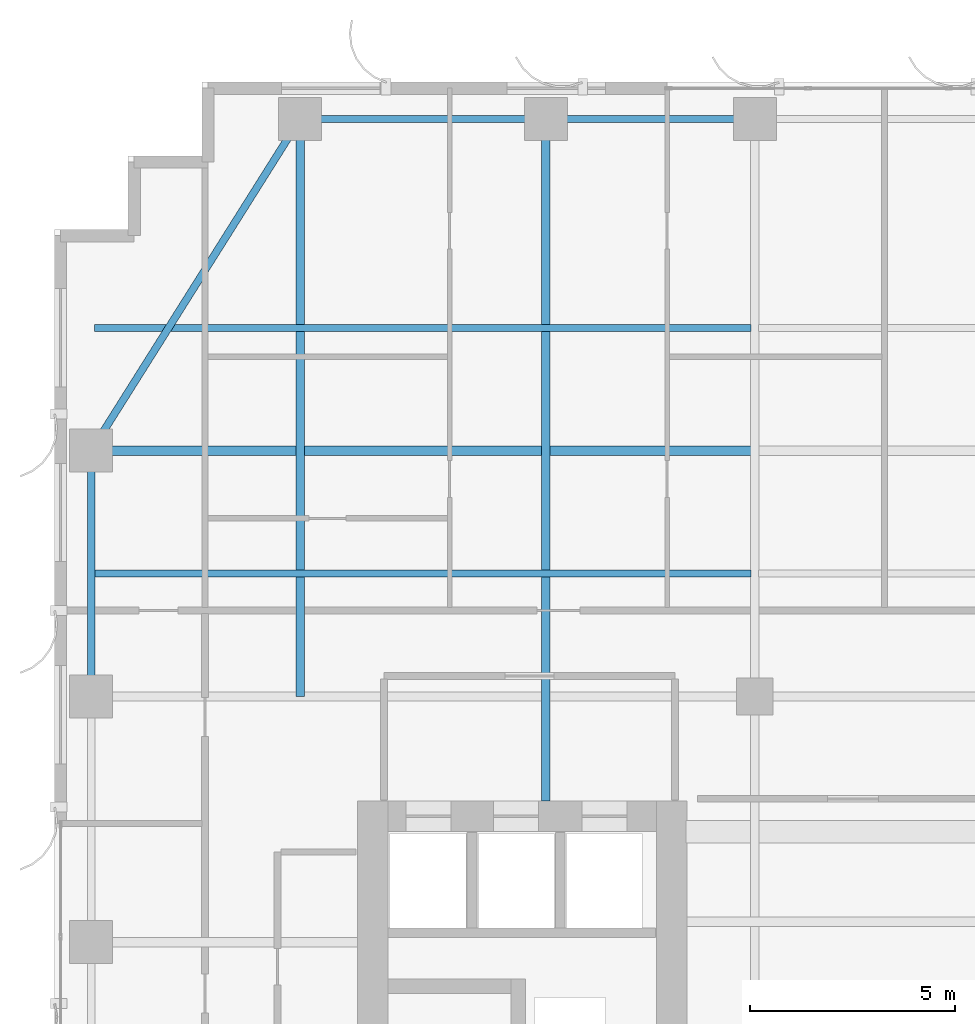
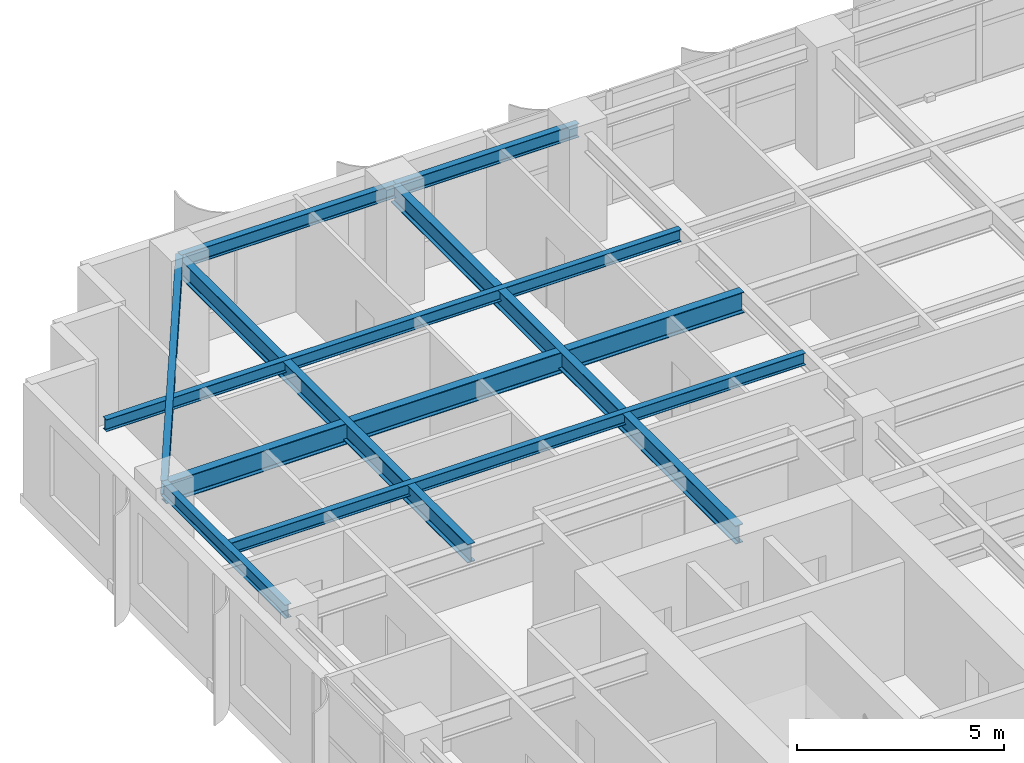
# One storey, part 13 of 26: 9 beams.
"""IFC4 building model written with IfcOpenShell, lengths in metres."""

import ifcopenshell
import ifcopenshell.guid

model = None  # the IFC model being written
_history = None  # IfcOwnerHistory: only IFC2X3 demands one
_inside = {}  # id of a spatial element -> (the spatial element, [elements in it])
_under = {}  # id of a project, library or spatial element -> (it, [spatial elements below it])
_declared = {}  # id of a project -> (the project, [libraries it declares])
_typed = {}  # id of a type object -> (the type object, [elements of that type])
_made_of = {}  # id of a material, layer set ... -> (it, [elements and type objects made of it])


def new_model(schema):
    """Start an empty IFC model of exactly this schema.

    Asked for "IFC4X3", IfcOpenShell would pick the latest addendum, in which some entities
    have other attributes; the version numbers below select the first issue.
    IFC2X3 requires an IfcOwnerHistory on every rooted entity: one is made here for all.
    """
    global model, _history
    if schema == "IFC4X3":
        model = ifcopenshell.file(schema_version=(4, 3, 0, 0))
    else:
        model = ifcopenshell.file(schema=schema)
    _inside.clear()
    _under.clear()
    _declared.clear()
    _typed.clear()
    _made_of.clear()
    _history = None
    if model.schema == "IFC2X3":
        org = make("IfcOrganization", Name="unknown")
        user = make(
            "IfcPersonAndOrganization",
            ThePerson=make("IfcPerson", FamilyName="unknown"),
            TheOrganization=org,
        )
        app = make(
            "IfcApplication",
            ApplicationDeveloper=org,
            Version="unknown",
            ApplicationFullName="unknown",
            ApplicationIdentifier="unknown",
        )
        _history = make(
            "IfcOwnerHistory",
            OwningUser=user,
            OwningApplication=app,
            ChangeAction="ADDED",
            CreationDate=0,
        )
    return model


def make(cls, **values):
    """One entity of the class cls with the attributes given. An attribute that is None is left unset."""
    return model.create_entity(
        cls, **{name: value for name, value in values.items() if value is not None}
    )


def rooted(cls, **values):
    """An entity with a GlobalId (a new one), such as an element, a storey or a relation."""
    return make(cls, GlobalId=ifcopenshell.guid.new(), OwnerHistory=_history, **values)


def si_unit(unit_type, name, prefix=None):
    """IfcSIUnit, for example si_unit("LENGTHUNIT", "METRE", prefix="MILLI")."""
    return make("IfcSIUnit", UnitType=unit_type, Prefix=prefix, Name=name)


def assignment(units):
    """IfcUnitAssignment: the units of a project."""
    return None if units is None else make("IfcUnitAssignment", Units=units)


def point(xyz):
    """IfcCartesianPoint."""
    return None if xyz is None else make("IfcCartesianPoint", Coordinates=xyz)


def direction(xyz):
    """IfcDirection."""
    return None if xyz is None else make("IfcDirection", DirectionRatios=xyz)


def frame(location, z_axis=None, x_axis=None):
    """IfcAxis2Placement3D, a coordinate frame: its origin and axes. An axis left out is left unset."""
    return make(
        "IfcAxis2Placement3D",
        Location=point(location),
        Axis=direction(z_axis),
        RefDirection=direction(x_axis),
    )


def frame_2d(location, x_axis=None):
    """IfcAxis2Placement2D, a coordinate frame in the plane: its origin and x axis."""
    return make(
        "IfcAxis2Placement2D", Location=point(location), RefDirection=direction(x_axis)
    )


def origin():
    """The frame at (0, 0, 0) with its axes left unset."""
    return frame((0.0, 0.0, 0.0))


def origin_2d():
    """The frame at (0, 0) in the plane with its x axis left unset."""
    return frame_2d((0.0, 0.0))


def place(relative_to, where):
    """IfcLocalPlacement: puts the frame where relative to a parent placement (None: the world)."""
    return make(
        "IfcLocalPlacement", PlacementRelTo=relative_to, RelativePlacement=where
    )


def context(
    kind, dimensions, precision=None, world=None, true_north=None, identifier=None
):
    """IfcGeometricRepresentationContext, for example the 3D "Model" context."""
    return make(
        "IfcGeometricRepresentationContext",
        ContextIdentifier=identifier,
        ContextType=kind,
        CoordinateSpaceDimension=dimensions,
        Precision=precision,
        WorldCoordinateSystem=world,
        TrueNorth=true_north,
    )


def subcontext(parent, identifier, kind, view, scale=None):
    """IfcGeometricRepresentationSubContext, for example "Body" below "Model"."""
    return make(
        "IfcGeometricRepresentationSubContext",
        ContextIdentifier=identifier,
        ContextType=kind,
        ParentContext=parent,
        TargetScale=scale,
        TargetView=view,
    )


def project(units=None, contexts=None):
    """IfcProject with its units and contexts."""
    return rooted(
        "IfcProject",
        Name="project",
        RepresentationContexts=contexts,
        UnitsInContext=assignment(units),
    )


def spatial(cls, under=None, at=None, **own):
    """A site, building, storey or space (cls), placed at a placement, below another one or the project."""
    s = rooted(cls, ObjectPlacement=at, **own)
    if under is not None:
        _under.setdefault(under.id(), (under, []))[1].append(s)
    return s


def profile(cls, at=None, kind="AREA", **sizes):
    """A parametric profile (cls). Its sizes go by their IFC names, for example OverallWidth=200.0."""
    return make(cls, ProfileType=kind, Position=at, **sizes)


def i_section(**sizes):
    """IfcIShapeProfileDef."""
    return profile("IfcIShapeProfileDef", **sizes)


def extrude(swept, where, along, depth):
    """IfcExtrudedAreaSolid: the profile swept, set in the frame where, extruded along a direction by depth."""
    return make(
        "IfcExtrudedAreaSolid",
        SweptArea=swept,
        Position=where,
        ExtrudedDirection=direction(along),
        Depth=depth,
    )


def shape(context_of_items, identifier, shape_type, items):
    """IfcShapeRepresentation: the items that make up one representation, for example the "Body"."""
    return make(
        "IfcShapeRepresentation",
        ContextOfItems=context_of_items,
        RepresentationIdentifier=identifier,
        RepresentationType=shape_type,
        Items=items,
    )


def source(mapping_origin, context_of_items, identifier, shape_type, items):
    """IfcRepresentationMap: a shape defined once, which mapped items show again and again."""
    return make(
        "IfcRepresentationMap",
        MappingOrigin=mapping_origin,
        MappedRepresentation=shape(context_of_items, identifier, shape_type, items),
    )


def transform(
    local_origin,
    x_axis=None,
    y_axis=None,
    z_axis=None,
    scale=None,
    scale2=None,
    scale3=None,
    uniform=True,
):
    """IfcCartesianTransformationOperator3D, or its non-uniform kind. x_axis, y_axis, z_axis: its Axis1, 2, 3."""
    if uniform:
        return make(
            "IfcCartesianTransformationOperator3D",
            Axis1=direction(x_axis),
            Axis2=direction(y_axis),
            LocalOrigin=point(local_origin),
            Scale=scale,
            Axis3=direction(z_axis),
        )
    return make(
        "IfcCartesianTransformationOperator3DnonUniform",
        Axis1=direction(x_axis),
        Axis2=direction(y_axis),
        LocalOrigin=point(local_origin),
        Scale=scale,
        Axis3=direction(z_axis),
        Scale2=scale2,
        Scale3=scale3,
    )


def mapped(mapping_source, mapping_target):
    """IfcMappedItem: shows the shape of a source again, moved by a transform."""
    return make(
        "IfcMappedItem", MappingSource=mapping_source, MappingTarget=mapping_target
    )


def material(Name=None, Category=None):
    """IfcMaterial."""
    return make("IfcMaterial", Name=Name, Category=Category)


def material_profile(
    of_material, cross_section, Name=None, Category=None, Priority=None
):
    """IfcMaterialProfile: a cross section and its material."""
    return make(
        "IfcMaterialProfile",
        Name=Name,
        Material=of_material,
        Profile=cross_section,
        Priority=Priority,
        Category=Category,
    )


def profile_set(profiles, Name=None, composite=None):
    """IfcMaterialProfileSet."""
    return make(
        "IfcMaterialProfileSet",
        Name=Name,
        MaterialProfiles=profiles,
        CompositeProfile=composite,
    )


def made_of(thing, what):
    """Note that an element or type object is made of a material, layer set ...; save() writes the relation."""
    if what is not None:
        _made_of.setdefault(what.id(), (what, []))[1].append(thing)
    return thing


def type_object(cls, material=None, **own):
    """A type object (cls), such as IfcWallType, which elements share."""
    return made_of(rooted(cls, **own), material)


def element(
    cls,
    number,
    at=None,
    inside=None,
    cuts=None,
    type_object=None,
    material=None,
    context=None,
    identifier="Body",
    shape_type=None,
    held_by="IfcProductDefinitionShape",
    body=None,
    shapes=None,
    **own,
):
    """One element of the class cls, such as IfcWall. Its Tag is "e" and its number.

    at: its placement. inside: the storey or other place that contains it. cuts: it is an
    opening in that element (IfcRelVoidsElement). A single representation is given by context,
    identifier, shape_type and body (its items); several are given by shapes. held_by: the class
    of the entity that holds the representations. save() writes the other relations.
    """
    e = rooted(cls, Tag="e%d" % number, ObjectPlacement=at, **own)
    if body is not None:
        shapes = [shape(context, identifier, shape_type, body)]
    if shapes is not None:
        e.Representation = make(held_by, Representations=shapes)
    if inside is not None:
        _inside.setdefault(inside.id(), (inside, []))[1].append(e)
    if cuts is not None:
        rooted(
            "IfcRelVoidsElement", RelatingBuildingElement=cuts, RelatedOpeningElement=e
        )
    if type_object is not None:
        _typed.setdefault(type_object.id(), (type_object, []))[1].append(e)
    return made_of(e, material)


def aggregate(whole, parts):
    """IfcRelAggregates: a whole, such as a stair, and the parts it consists of."""
    return rooted("IfcRelAggregates", RelatingObject=whole, RelatedObjects=parts)


def save(model, path):
    """Write the relations noted so far, then the file.

    IfcRelAggregates (storeys below a building ...), IfcRelContainedInSpatialStructure (elements
    in a storey), IfcRelDefinesByType, IfcRelAssociatesMaterial and IfcRelDeclares: one each for
    every whole, place, type object, material and project.
    """
    for whole, parts in _under.values():
        aggregate(whole, parts)
    for where, things in _inside.values():
        rooted(
            "IfcRelContainedInSpatialStructure",
            RelatedElements=things,
            RelatingStructure=where,
        )
    for kind, things in _typed.values():
        rooted("IfcRelDefinesByType", RelatedObjects=things, RelatingType=kind)
    for what, things in _made_of.values():
        rooted("IfcRelAssociatesMaterial", RelatedObjects=things, RelatingMaterial=what)
    for by, libraries in _declared.values():
        rooted("IfcRelDeclares", RelatingContext=by, RelatedDefinitions=libraries)
    model.write(path)


model = new_model("IFC4")

# Units and contexts
model_context = context("Model", 3, precision=1e-05, world=origin(), true_north=direction((0.0, 1.0)))
body_context = subcontext(model_context, "Body", "Model", "MODEL_VIEW")
ifc_project = project(units=[si_unit("LENGTHUNIT", "METRE"), si_unit("AREAUNIT", "SQUARE_METRE"), si_unit("VOLUMEUNIT", "CUBIC_METRE"), si_unit("PLANEANGLEUNIT", "RADIAN"), si_unit("MASSUNIT", "GRAM", prefix="KILO")], contexts=[model_context])

# Site, building, storey
site_placement = place(None, origin())
site = spatial("IfcSite", under=ifc_project, at=site_placement, CompositionType="ELEMENT")
building_placement = place(site_placement, origin())
building = spatial("IfcBuilding", under=site, at=building_placement, Name="Khoralis Quay Care Tower", CompositionType="ELEMENT")
storey_placement = place(building_placement, frame((0.0, 0.0, 126.89990234375)))
storey = spatial("IfcBuildingStorey", under=building, at=storey_placement, Name="L33", CompositionType="ELEMENT", Elevation=126.89990234375)

# Beams
ifc_material = material(Name="Steel S355", Category="steel")
ifc_material_profile_1 = material_profile(ifc_material, i_section(OverallWidth=0.179931640625, OverallDepth=0.39990234375, WebThickness=0.008544921875, FlangeThickness=0.013427734375, FilletRadius=0.02099609375, at=origin_2d()), Name="Steel S355")
ifc_profile_set_1 = profile_set([ifc_material_profile_1], Name="Steel S355")
beam_type_1 = type_object("IfcBeamType", Name="BM-IPE400", PredefinedType="SPANDREL", material=ifc_profile_set_1)
shared_shape_1 = source(origin(), body_context, "Body", "SweptSolid", [
    extrude(i_section(OverallWidth=0.179931640625, OverallDepth=0.39990234375, WebThickness=0.008544921875, FlangeThickness=0.013427734375, FilletRadius=0.02099609375, at=origin_2d()), origin(), (0.0, 0.0, 1.0), 6.0),
])
for number, where, z_axis, x_axis, name in (
    (1, (6.0, 44.10009765625, 3.14013671875), (1.0, 0.0, 0.0), (0.0, 1.0, 0.0), "BM-TSP-L33-06"),
    (2, (0.89990234375, 30.0, 3.14013671875), (0.0, 1.0, 0.0), (-1.0, 0.0, 0.0), "BM-TSP-L33-15"),
):
    element("IfcBeam", number, at=place(storey_placement, frame(where, z_axis=z_axis, x_axis=x_axis)), inside=storey, type_object=beam_type_1, Name=name, PredefinedType="SPANDREL", context=body_context, shape_type="MappedRepresentation", body=[
        mapped(shared_shape_1, transform((0.0, 0.0, 0.0), scale=1.0)),
    ])
shared_shape_2 = source(origin(), body_context, "Body", "SweptSolid", [
    extrude(i_section(OverallWidth=0.179931640625, OverallDepth=0.39990234375, WebThickness=0.008544921875, FlangeThickness=0.013427734375, FilletRadius=0.02099609375, at=origin_2d()), origin(), (0.0, 0.0, 1.0), 5.10009765625),
])
beam_1_placement = place(storey_placement, frame((12.0, 44.10009765625, 3.14013671875), z_axis=(1.0, 0.0, 0.0), x_axis=(0.0, 1.0, 0.0)))
element("IfcBeam", 3, at=beam_1_placement, inside=storey, type_object=beam_type_1, Name="BM-TSP-L33-07", PredefinedType="SPANDREL", context=body_context, shape_type="MappedRepresentation", body=[
    mapped(shared_shape_2, transform((0.0, 0.0, 0.0), scale=1.0)),
])
shared_shape_3 = source(origin(), body_context, "Body", "SweptSolid", [
    extrude(i_section(OverallWidth=0.179931640625, OverallDepth=0.39990234375, WebThickness=0.008544921875, FlangeThickness=0.013427734375, FilletRadius=0.02099609375, at=origin_2d()), origin(), (0.0, 0.0, 1.0), 9.572021484375),
])
beam_2_placement = place(storey_placement, frame((6.0, 44.10009765625, 3.14013671875), z_axis=(-0.532815975602, -0.846231136359, 0.0), x_axis=(0.846231136359, -0.532815975602, 0.0)))
element("IfcBeam", 4, at=beam_2_placement, inside=storey, type_object=beam_type_1, Name="BM-TCR-L33-23", PredefinedType="SPANDREL", context=body_context, shape_type="MappedRepresentation", body=[
    mapped(shared_shape_3, transform((0.0, 0.0, 0.0), scale=1.0)),
])
ifc_material_profile_2 = material_profile(ifc_material, i_section(OverallWidth=0.22998046875, OverallDepth=0.616943359375, WebThickness=0.01318359375, FlangeThickness=0.022216796875, FilletRadius=0.01806640625, at=origin_2d()), Name="Steel S355")
ifc_profile_set_2 = profile_set([ifc_material_profile_2], Name="Steel S355")
beam_type_2 = type_object("IfcBeamType", Name="BM-W610X140", PredefinedType="BEAM", material=ifc_profile_set_2)
shared_shape_4 = source(origin(), body_context, "Body", "SweptSolid", [
    extrude(i_section(OverallWidth=0.22998046875, OverallDepth=0.616943359375, WebThickness=0.01318359375, FlangeThickness=0.022216796875, FilletRadius=0.01806640625, at=origin_2d()), origin(), (0.0, 0.0, 1.0), 16.106201171875),
])
beam_3_placement = place(storey_placement, frame((0.89990234375, 36.0, 3.031494140625), z_axis=(1.0, 0.0, 0.0), x_axis=(0.0, 1.0, 0.0)))
element("IfcBeam", 5, at=beam_3_placement, inside=storey, type_object=beam_type_2, Name="BM-TGXW-L33-360", PredefinedType="BEAM", context=body_context, shape_type="MappedRepresentation", body=[
    mapped(shared_shape_4, transform((0.0, 0.0, 0.0), scale=1.0)),
])
ifc_material_profile_3 = material_profile(ifc_material, i_section(OverallWidth=0.2119140625, OverallDepth=0.5439453125, WebThickness=0.01318359375, FlangeThickness=0.021240234375, FilletRadius=0.01611328125, at=origin_2d()), Name="Steel S355")
ifc_profile_set_3 = profile_set([ifc_material_profile_3], Name="Steel S355")
beam_type_3 = type_object("IfcBeamType", Name="BM-W530X123", PredefinedType="BEAM", material=ifc_profile_set_3)
shared_shape_5 = source(origin(), body_context, "Body", "SweptSolid", [
    extrude(i_section(OverallWidth=0.2119140625, OverallDepth=0.5439453125, WebThickness=0.01318359375, FlangeThickness=0.021240234375, FilletRadius=0.01611328125, at=origin_2d()), origin(), (0.0, 0.0, 1.0), 14.10009765625),
])
beam_4_placement = place(storey_placement, frame((6.0, 30.0, 3.068115234375), z_axis=(0.0, 1.0, 0.0), x_axis=(-1.0, 0.0, 0.0)))
element("IfcBeam", 6, at=beam_4_placement, inside=storey, type_object=beam_type_3, Name="BM-TGYN-L33-60", PredefinedType="BEAM", context=body_context, shape_type="MappedRepresentation", body=[
    mapped(shared_shape_5, transform((0.0, 0.0, 0.0), scale=1.0)),
])
shared_shape_6 = source(origin(), body_context, "Body", "SweptSolid", [
    extrude(i_section(OverallWidth=0.2119140625, OverallDepth=0.5439453125, WebThickness=0.01318359375, FlangeThickness=0.021240234375, FilletRadius=0.01611328125, at=origin_2d()), origin(), (0.0, 0.0, 1.0), 16.652099609375),
])
beam_5_placement = place(storey_placement, frame((12.0, 27.447998046875, 3.068115234375), z_axis=(0.0, 1.0, 0.0), x_axis=(-1.0, 0.0, 0.0)))
element("IfcBeam", 7, at=beam_5_placement, inside=storey, type_object=beam_type_3, Name="BM-TGYN-L33-120", PredefinedType="BEAM", context=body_context, shape_type="MappedRepresentation", body=[
    mapped(shared_shape_6, transform((0.0, 0.0, 0.0), scale=1.0)),
])
ifc_material_profile_4 = material_profile(ifc_material, i_section(OverallWidth=0.1708984375, OverallDepth=0.35498046875, WebThickness=0.007080078125, FlangeThickness=0.01171875, FilletRadius=0.012939453125, at=origin_2d()), Name="Steel S355")
ifc_profile_set_4 = profile_set([ifc_material_profile_4], Name="Steel S355")
beam_type_4 = type_object("IfcBeamType", Name="BM-W360X51", PredefinedType="JOIST", material=ifc_profile_set_4)
shared_shape_7 = source(origin(), body_context, "Body", "SweptSolid", [
    extrude(i_section(OverallWidth=0.1708984375, OverallDepth=0.35498046875, WebThickness=0.007080078125, FlangeThickness=0.01171875, FilletRadius=0.012939453125, at=origin_2d()), origin(), (0.0, 0.0, 1.0), 16.030029296875),
])
for number, where, z_axis, x_axis, name in (
    (8, (0.97607421875, 33.0, 3.16259765625), (1.0, 0.0, 0.0), (0.0, 1.0, 0.0), "BM-TJS-L33-28"),
    (9, (0.97607421875, 39.0, 3.16259765625), (1.0, 0.0, 0.0), (0.0, 1.0, 0.0), "BM-TJS-L33-31"),
):
    element("IfcBeam", number, at=place(storey_placement, frame(where, z_axis=z_axis, x_axis=x_axis)), inside=storey, type_object=beam_type_4, Name=name, PredefinedType="JOIST", context=body_context, shape_type="MappedRepresentation", body=[
        mapped(shared_shape_7, transform((0.0, 0.0, 0.0), scale=1.0)),
    ])

save(model, "model.ifc")
